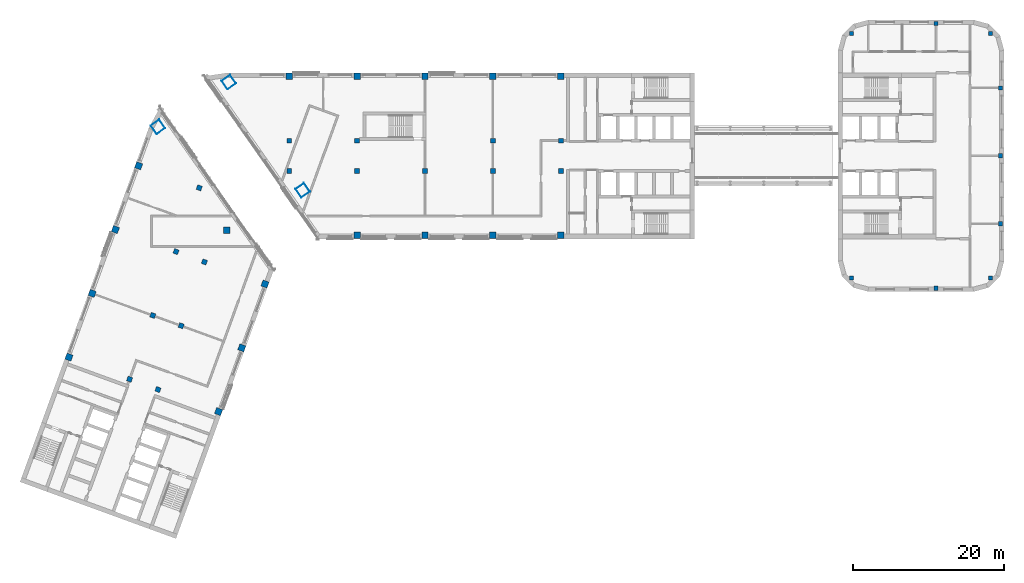
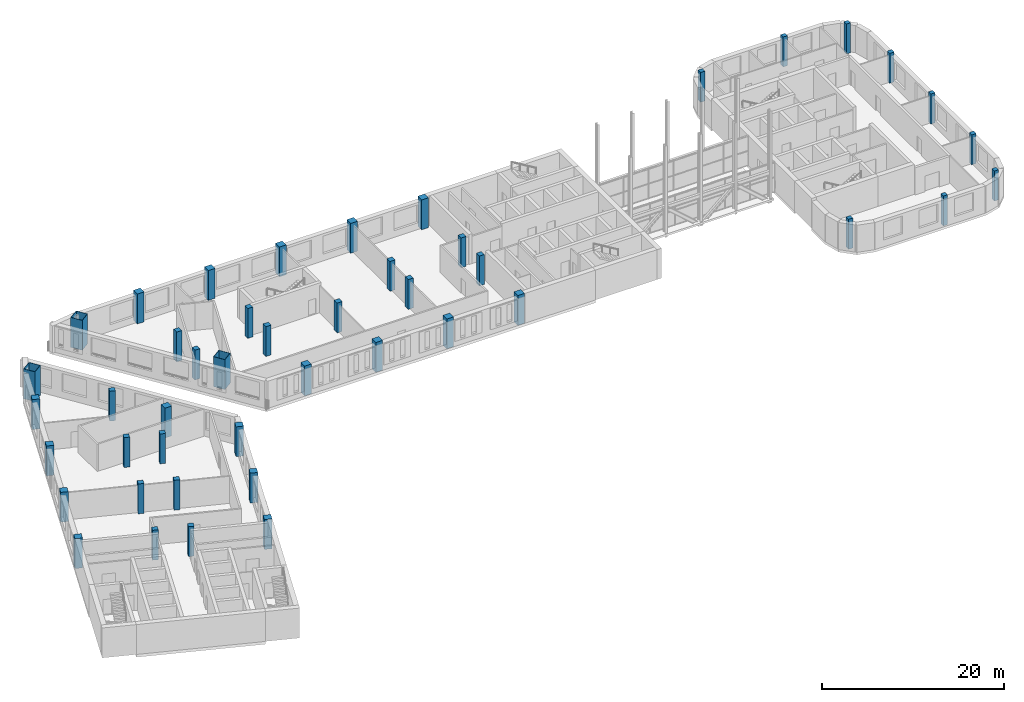
# One storey, part 1 of 11: 45 columns.
"""IFC4 building model written with IfcOpenShell, lengths in metres."""

from ifc_helpers import new_model, si_unit, direction, frame, origin, origin_2d, place, context, subcontext, project, spatial, rectangle, hollow_rectangle, extrude, material, material_profile, profile_set, type_object, element, save


model = new_model("IFC4")

# Units and contexts
model_context = context("Model", 3, precision=1e-05, world=origin(), true_north=direction((0.0, 1.0)))
body_context = subcontext(model_context, "Body", "Model", "MODEL_VIEW")
ifc_project = project(units=[si_unit("LENGTHUNIT", "METRE"), si_unit("AREAUNIT", "SQUARE_METRE"), si_unit("VOLUMEUNIT", "CUBIC_METRE"), si_unit("PLANEANGLEUNIT", "RADIAN"), si_unit("MASSUNIT", "GRAM", prefix="KILO")], contexts=[model_context])

# Site, building, storey
site_placement = place(None, origin())
site = spatial("IfcSite", under=ifc_project, at=site_placement, CompositionType="ELEMENT")
building_placement = place(site_placement, origin())
building = spatial("IfcBuilding", under=site, at=building_placement, Name="Skarvind Civic Tower", CompositionType="ELEMENT")
storey_placement = place(building_placement, frame((0.0, 0.0, 109.0)))
storey = spatial("IfcBuildingStorey", under=building, at=storey_placement, Name="L25", CompositionType="ELEMENT", Elevation=109.0)

# Columns
ifc_material_1 = material(Name="Concrete C60", Category="concrete")
ifc_material_profile_1 = material_profile(ifc_material_1, rectangle(XDim=0.550048828125, YDim=0.550048828125, at=origin_2d()), Name="RC-550x550")
ifc_profile_set_1 = profile_set([ifc_material_profile_1], Name="Concrete C60")
column_type_1 = type_object("IfcColumnType", Name="Column RC-550x550 C60", PredefinedType="COLUMN", material=ifc_profile_set_1)
for number, where, z_axis, x_axis, name in (
    (1, (128.777099609375, 144.222900390625, 0.0), (0.0, 0.0, 1.0), (1.0, 0.0, 0.0), "Column second tower north-west corner L25"),
    (2, (128.777099609375, 111.777099609375, 0.0), (0.0, 0.0, 1.0), (1.0, 0.0, 0.0), "Column second tower south-west corner L25"),
    (3, (148.550048828125, 119.0, 0.0), (0.0, 0.0, 1.0), (1.0, 0.0, 0.0), "Column second tower middle line 01 L25"),
    (4, (148.550048828125, 128.0, 0.0), (0.0, 0.0, 1.0), (1.0, 0.0, 0.0), "Column second tower middle line 02 L25"),
    (5, (148.550048828125, 137.0, 0.0), (0.0, 0.0, 1.0), (1.0, 0.0, 0.0), "Column second tower middle line 03 L25"),
    (6, (140.0, 145.550048828125, 0.0), (0.0, 0.0, 1.0), (1.0, 0.0, 0.0), "Column second tower north perimeter 02 L25"),
    (7, (147.222900390625, 144.222900390625, 0.0), (0.0, 0.0, 1.0), (1.0, 0.0, 0.0), "Column second tower north perimeter 03 L25"),
    (8, (140.0, 110.449951171875, 0.0), (0.0, 0.0, 1.0), (1.0, 0.0, 0.0), "Column second tower south perimeter 02 L25"),
    (9, (147.222900390625, 111.777099609375, 0.0), (0.0, 0.0, 1.0), (1.0, 0.0, 0.0), "Column second tower south perimeter 03 L25"),
):
    element("IfcColumn", number, at=place(storey_placement, frame(where, z_axis=z_axis, x_axis=x_axis)), inside=storey, type_object=column_type_1, Name=name, PredefinedType="COLUMN", context=body_context, shape_type="SweptSolid", body=[
        extrude(rectangle(XDim=0.550048828125, YDim=0.550048828125, at=origin_2d()), origin(), (0.0, 0.0, 1.0), 4.0),
    ])
ifc_material_profile_2 = material_profile(ifc_material_1, rectangle(XDim=0.64990234375, YDim=0.64990234375, at=origin_2d()), Name="RC-650x650")
ifc_profile_set_2 = profile_set([ifc_material_profile_2], Name="Concrete C60")
column_type_2 = type_object("IfcColumnType", Name="Column RC-650x650 C60", PredefinedType="COLUMN", material=ifc_profile_set_2)
for number, where, z_axis, x_axis, name in (
    (10, (54.25, 130.0, 0.0), (0.0, 0.0, 1.0), (1.0, 0.0, 0.0), "Column wing 1 north inner 02 L25"),
    (11, (63.25, 130.0, 0.0), (0.0, 0.0, 1.0), (1.0, 0.0, 0.0), "Column wing 1 north inner 03 L25"),
    (12, (81.25, 130.0, 0.0), (0.0, 0.0, 1.0), (1.0, 0.0, 0.0), "Column wing 1 north inner 05 L25"),
    (13, (90.25, 130.0, 0.0), (0.0, 0.0, 1.0), (1.0, 0.0, 0.0), "Column wing 1 north inner 06 L25"),
    (14, (54.25, 126.0, 0.0), (0.0, 0.0, 1.0), (1.0, 0.0, 0.0), "Column wing 1 south inner 02 L25"),
    (15, (63.25, 126.0, 0.0), (0.0, 0.0, 1.0), (1.0, 0.0, 0.0), "Column wing 1 south inner 03 L25"),
    (16, (72.25, 126.0, 0.0), (0.0, 0.0, 1.0), (1.0, 0.0, 0.0), "Column wing 1 south inner 04 L25"),
    (17, (81.25, 126.0, 0.0), (0.0, 0.0, 1.0), (1.0, 0.0, 0.0), "Column wing 1 south inner 05 L25"),
    (18, (90.25, 126.0, 0.0), (0.0, 0.0, 1.0), (1.0, 0.0, 0.0), "Column wing 1 south inner 06 L25"),
    (19, (43.005615234375, 113.92529296875, 0.0), (0.0, 0.0, 1.0), (-0.342020143326, -0.939692620786, 0.0), "Column wing 2 left inner 02 L25"),
    (20, (39.927490234375, 105.468017578125, 0.0), (0.0, 0.0, 1.0), (-0.342020143326, -0.939692620786, 0.0), "Column wing 2 left inner 03 L25"),
    (21, (36.84912109375, 97.010986328125, 0.0), (0.0, 0.0, 1.0), (-0.342020143326, -0.939692620786, 0.0), "Column wing 2 left inner 04 L25"),
    (22, (42.324951171875, 123.750732421875, 0.0), (0.0, 0.0, 1.0), (-0.342020143326, -0.939692620786, 0.0), "Column wing 2 right inner 01 L25"),
    (23, (39.246826171875, 115.29345703125, 0.0), (0.0, 0.0, 1.0), (-0.342020143326, -0.939692620786, 0.0), "Column wing 2 right inner 02 L25"),
    (24, (36.168701171875, 106.836181640625, 0.0), (0.0, 0.0, 1.0), (-0.342020143326, -0.939692620786, 0.0), "Column wing 2 right inner 03 L25"),
    (25, (33.090576171875, 98.37890625, 0.0), (0.0, 0.0, 1.0), (-0.342020143326, -0.939692620786, 0.0), "Column wing 2 right inner 04 L25"),
):
    element("IfcColumn", number, at=place(storey_placement, frame(where, z_axis=z_axis, x_axis=x_axis)), inside=storey, type_object=column_type_2, Name=name, PredefinedType="COLUMN", context=body_context, shape_type="SweptSolid", body=[
        extrude(rectangle(XDim=0.64990234375, YDim=0.64990234375, at=origin_2d()), origin(), (0.0, 0.0, 1.0), 4.0),
    ])
ifc_material_2 = material(Name="Concrete C80", Category="concrete")
ifc_material_profile_3 = material_profile(ifc_material_2, rectangle(XDim=0.85009765625, YDim=0.85009765625, at=origin_2d()), Name="RC-850x850")
ifc_profile_set_3 = profile_set([ifc_material_profile_3], Name="Concrete C80")
column_type_3 = type_object("IfcColumnType", Name="Column RC-850x850 C80", PredefinedType="COLUMN", material=ifc_profile_set_3)
for number, where, z_axis, x_axis, name in (
    (26, (54.25, 138.550048828125, 0.0), (0.0, 0.0, 1.0), (1.0, 0.0, 0.0), "Column wing 1 north perimeter 02 L25"),
    (27, (63.25, 138.550048828125, 0.0), (0.0, 0.0, 1.0), (1.0, 0.0, 0.0), "Column wing 1 north perimeter 03 L25"),
    (28, (72.25, 138.550048828125, 0.0), (0.0, 0.0, 1.0), (1.0, 0.0, 0.0), "Column wing 1 north perimeter 04 L25"),
    (29, (81.25, 138.550048828125, 0.0), (0.0, 0.0, 1.0), (1.0, 0.0, 0.0), "Column wing 1 north perimeter 05 L25"),
    (30, (90.25, 138.550048828125, 0.0), (0.0, 0.0, 1.0), (1.0, 0.0, 0.0), "Column wing 1 north perimeter 06 L25"),
    (31, (45.95166015625, 118.151611328125, 0.0), (0.0, 0.0, 1.0), (1.0, 0.0, 0.0), "Column wing 1 south perimeter 01 L25"),
    (32, (63.25, 117.449951171875, 0.0), (0.0, 0.0, 1.0), (1.0, 0.0, 0.0), "Column wing 1 south perimeter 03 L25"),
    (33, (72.25, 117.449951171875, 0.0), (0.0, 0.0, 1.0), (1.0, 0.0, 0.0), "Column wing 1 south perimeter 04 L25"),
    (34, (81.25, 117.449951171875, 0.0), (0.0, 0.0, 1.0), (1.0, 0.0, 0.0), "Column wing 1 south perimeter 05 L25"),
    (35, (90.25, 117.449951171875, 0.0), (0.0, 0.0, 1.0), (1.0, 0.0, 0.0), "Column wing 1 south perimeter 06 L25"),
    (36, (51.0400390625, 111.0009765625, 0.0), (0.0, 0.0, 1.0), (-0.342020143326, -0.939692620786, 0.0), "Column wing 2 left perimeter 02 L25"),
    (37, (47.961669921875, 102.5439453125, 0.0), (0.0, 0.0, 1.0), (-0.342020143326, -0.939692620786, 0.0), "Column wing 2 left perimeter 03 L25"),
    (38, (44.883544921875, 94.086669921875, 0.0), (0.0, 0.0, 1.0), (-0.342020143326, -0.939692620786, 0.0), "Column wing 2 left perimeter 04 L25"),
    (39, (34.29052734375, 126.6748046875, 0.0), (0.0, 0.0, 1.0), (-0.342020143326, -0.939692620786, 0.0), "Column wing 2 right perimeter 01 L25"),
    (40, (31.21240234375, 118.2177734375, 0.0), (0.0, 0.0, 1.0), (-0.342020143326, -0.939692620786, 0.0), "Column wing 2 right perimeter 02 L25"),
    (41, (28.13427734375, 109.760498046875, 0.0), (0.0, 0.0, 1.0), (-0.342020143326, -0.939692620786, 0.0), "Column wing 2 right perimeter 03 L25"),
    (42, (25.05615234375, 101.30322265625, 0.0), (0.0, 0.0, 1.0), (-0.342020143326, -0.939692620786, 0.0), "Column wing 2 right perimeter 04 L25"),
):
    element("IfcColumn", number, at=place(storey_placement, frame(where, z_axis=z_axis, x_axis=x_axis)), inside=storey, type_object=column_type_3, Name=name, PredefinedType="COLUMN", context=body_context, shape_type="SweptSolid", body=[
        extrude(rectangle(XDim=0.85009765625, YDim=0.85009765625, at=origin_2d()), origin(), (0.0, 0.0, 1.0), 4.0),
    ])
ifc_material_3 = material(Name="Composite concrete-filled steel tube, Steel SM355 with Concrete C80", Category="concrete")
ifc_material_profile_4 = material_profile(ifc_material_3, hollow_rectangle(XDim=1.39990234375, YDim=1.39990234375, WallThickness=0.0400390625, at=origin_2d()), Name="BOX-1400x1400x40")
ifc_profile_set_4 = profile_set([ifc_material_profile_4], Name="Composite concrete-filled steel tube, Steel SM355 with Concrete C80")
column_type_4 = type_object("IfcColumnType", Name="Mega column BOX-1400x1400x40 filled C80", PredefinedType="COLUMN", material=ifc_profile_set_4)
for number, where, z_axis, x_axis, name in (
    (43, (36.845947265625, 131.837646484375, 0.0), (0.0, 0.0, 1.0), (0.573576436351, -0.819152044289, 0.0), "Mega column 1 L25"),
    (44, (46.2470703125, 137.762451171875, 0.0), (0.0, 0.0, 1.0), (0.573576436351, -0.819152044289, 0.0), "Mega column 2 L25"),
    (45, (56.0361328125, 123.43017578125, 0.0), (0.0, 0.0, 1.0), (0.573576436351, -0.819152044289, 0.0), "Mega column 4 L25"),
):
    element("IfcColumn", number, at=place(storey_placement, frame(where, z_axis=z_axis, x_axis=x_axis)), inside=storey, type_object=column_type_4, Name=name, PredefinedType="COLUMN", context=body_context, shape_type="SweptSolid", body=[
        extrude(hollow_rectangle(XDim=1.39990234375, YDim=1.39990234375, WallThickness=0.0400390625, at=origin_2d()), origin(), (0.0, 0.0, 1.0), 4.0),
    ])

save(model, "model.ifc")
